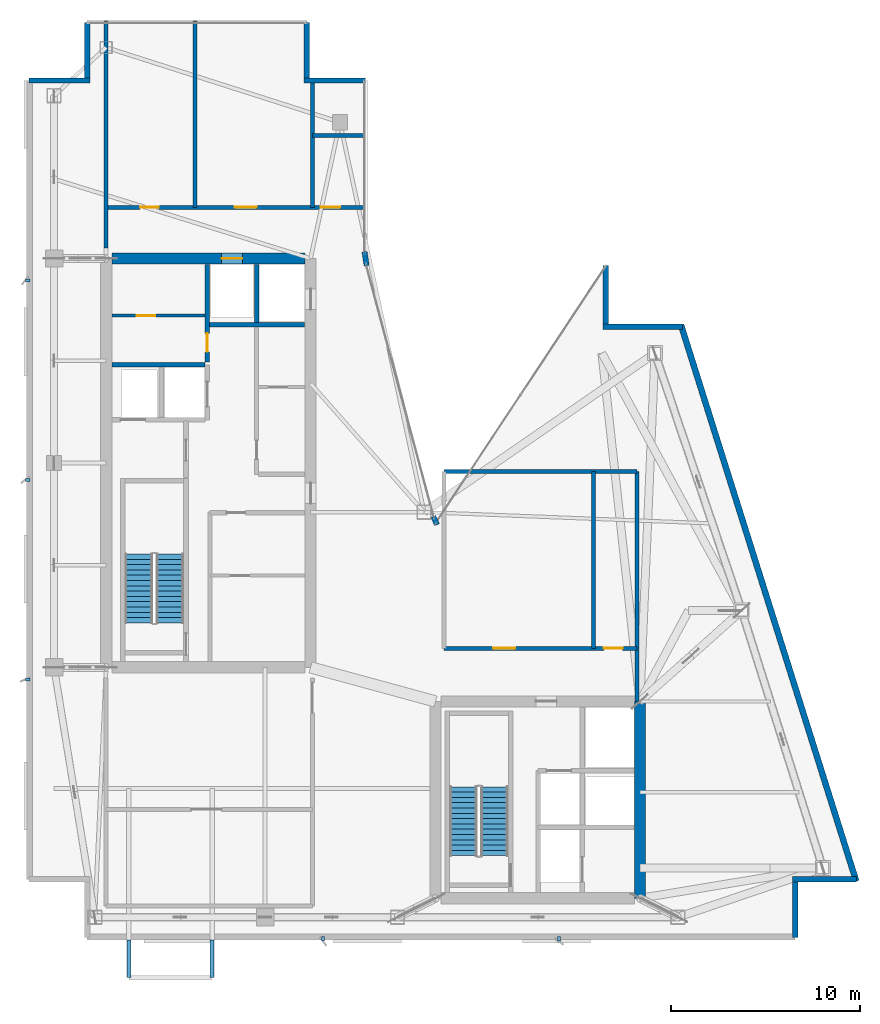
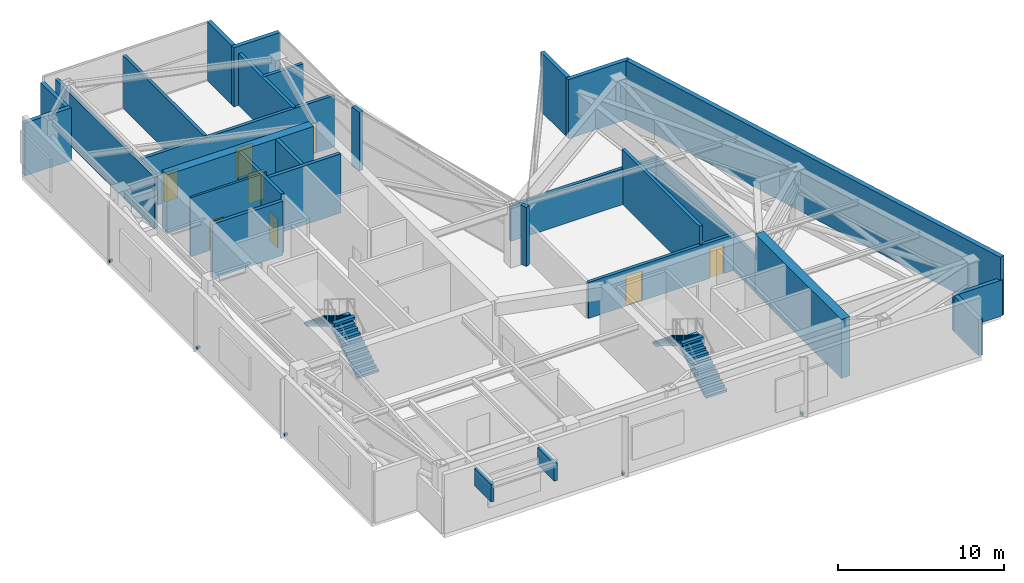
# One storey, part 13 of 15: 27 walls, 8 doors, 7 discrete accessories, 4 stair flights, 8 openings, 2 elements without a shape of their own.
"""IFC4 building model written with IfcOpenShell, lengths in metres."""

from ifc_helpers import new_model, si_unit, direction, frame, frame_2d, origin, origin_2d, place, context, subcontext, project, spatial, polyline, rectangle, outline, extrude, material, layer, layer_set, type_object, element, fill, aggregate, save


model = new_model("IFC4")

# Units and contexts
model_context = context("Model", 3, precision=1e-05, world=origin(), true_north=direction((0.0, 1.0)))
body_context = subcontext(model_context, "Body", "Model", "MODEL_VIEW")
ifc_project = project(units=[si_unit("LENGTHUNIT", "METRE"), si_unit("AREAUNIT", "SQUARE_METRE"), si_unit("VOLUMEUNIT", "CUBIC_METRE"), si_unit("PLANEANGLEUNIT", "RADIAN"), si_unit("MASSUNIT", "GRAM", prefix="KILO")], contexts=[model_context])

# Site, building, storey
site_placement = place(None, origin())
site = spatial("IfcSite", under=ifc_project, at=site_placement, CompositionType="ELEMENT")
building_placement = place(site_placement, origin())
building = spatial("IfcBuilding", under=site, at=building_placement, Name="Calvorn Quay Hotel", CompositionType="ELEMENT")
storey_placement = place(building_placement, frame((0.0, 0.0, 282.5)))
storey = spatial("IfcBuildingStorey", under=building, at=storey_placement, Name="L70", CompositionType="ELEMENT", Elevation=282.5)

# Wall, opening, door
ifc_material_1 = material(Name="Concrete C45", Category="concrete")
ifc_layer_1 = layer(ifc_material_1, 0.60009765625)
ifc_layer_set_1 = layer_set([ifc_layer_1], Name="WL-CORE-600")
wall_type_1 = type_object("IfcWallType", Name="WL-CORE-600", PredefinedType="SHEAR", material=ifc_layer_set_1)
wall_1_placement = place(storey_placement, frame((4.5, 38.39990234375, 0.0), z_axis=(0.0, 0.0, 1.0), x_axis=(1.0, 0.0, 0.0)))
wall_1 = element("IfcWall", 1, at=wall_1_placement, inside=storey, type_object=wall_type_1, Name="West Core Shear Wall N (L70)", PredefinedType="SHEAR", context=body_context, shape_type="SweptSolid", body=[
    extrude(rectangle(XDim=10.199951171875, YDim=0.60009765625, at=frame_2d((5.10009765625, 0.0))), origin(), (0.0, 0.0, 1.0), 4.35009765625),
])
opening_1_placement = place(wall_1_placement, frame((5.800048828125, 0.0, 0.0)))
opening_1 = element("IfcOpeningElement", 2, at=opening_1_placement, cuts=wall_1, Name="Opening LD-L70-H2", PredefinedType="OPENING", context=body_context, shape_type="SweptSolid", body=[
    extrude(rectangle(XDim=1.10009765625, YDim=2.199951171875, at=frame_2d((0.550048828125, 1.10009765625))), frame((0.0, 0.31005859375, 0.0), z_axis=(0.0, -1.0, 0.0), x_axis=(1.0, 0.0, 0.0)), (0.0, 0.0, 1.0), 0.6201171875),
])
ifc_material_2 = material(Name="Brushed Stainless Steel Sliding Lift Landing Door", Category="steel")
door_type_1 = type_object("IfcDoorType", Name="DR-LIFT-PASS-1100", OperationType="NOTDEFINED", PredefinedType="DOOR", material=ifc_material_2)
door_1_placement = place(opening_1_placement, origin())
door_1 = element("IfcDoor", 3, at=door_1_placement, inside=storey, type_object=door_type_1, Name="High-Rise Lift PL-H2 Landing Door (L70)", OperationType="DOUBLE_DOOR_SLIDING", OverallHeight=2.199951171875, OverallWidth=1.10009765625, PredefinedType="DOOR", context=body_context, shape_type="SweptSolid", body=[
    extrude(rectangle(XDim=1.10009765625, YDim=2.199951171875, at=frame_2d((0.550048828125, 1.10009765625))), frame((0.0, 0.02490234375, 0.0), z_axis=(0.0, -1.0, 0.0), x_axis=(1.0, 0.0, 0.0)), (0.0, 0.0, 1.0), 0.050048828125),
])
fill(opening_1, door_1)

# Walls
wall_2_placement = place(storey_placement, frame((32.39990234375, 4.60009765625, 0.0), z_axis=(0.0, 0.0, 1.0), x_axis=(0.0, 1.0, 0.0)))
element("IfcWall", 4, at=wall_2_placement, inside=storey, type_object=wall_type_1, Name="East Core Shear Wall E (L70)", PredefinedType="SHEAR", context=body_context, shape_type="SweptSolid", body=[
    extrude(rectangle(XDim=10.39990234375, YDim=0.60009765625, at=frame_2d((5.199951171875, 0.0))), origin(), (0.0, 0.0, 1.0), 4.35009765625),
])
ifc_material_3 = material(Name="Concrete C40", Category="concrete")
ifc_layer_2 = layer(ifc_material_3, 0.320068359375)
ifc_layer_set_2 = layer_set([ifc_layer_2], Name="WL-EXT-SPANDREL-320")
wall_type_2 = type_object("IfcWallType", Name="WL-EXT-SPANDREL-320", PredefinedType="SOLIDWALL", material=ifc_layer_set_2)
wall_3_placement = place(storey_placement, frame((21.679931640625, 24.340087890625, 0.0), z_axis=(0.0, 0.0, 1.0), x_axis=(-0.40758134973, 0.913168901875, 0.0)))
element("IfcWall", 5, at=wall_3_placement, inside=storey, type_object=wall_type_2, Name="Inner Court Corner Pier L70-ICJ1", PredefinedType="SOLIDWALL", context=body_context, shape_type="SweptSolid", body=[
    extrude(rectangle(XDim=0.470703125, YDim=0.280029296875, at=frame_2d((0.2353515625, 0.0))), origin(), (0.0, 0.0, 1.0), 4.35009765625),
])
wall_4_placement = place(storey_placement, frame((17.9619140625, 38.030029296875, 0.0), z_axis=(0.0, 0.0, 1.0), x_axis=(-0.15141125477, 0.988470855377, 0.0)))
element("IfcWall", 6, at=wall_4_placement, inside=storey, type_object=wall_type_2, Name="Inner Court Corner Pier L70-ICJ2", PredefinedType="SOLIDWALL", context=body_context, shape_type="SweptSolid", body=[
    extrude(rectangle(XDim=0.738525390625, YDim=0.280029296875, at=frame_2d((0.369140625, 0.0))), origin(), (0.0, 0.0, 1.0), 4.35009765625),
])
wall_5_placement = place(storey_placement, frame((40.60009765625, 2.52001953125, 0.0), z_axis=(0.0, 0.0, 1.0), x_axis=(0.0, 1.0, 0.0)))
element("IfcWall", 7, at=wall_5_placement, inside=storey, type_object=wall_type_2, Name="Notched Corner Spandrel L70-SE1", PredefinedType="SOLIDWALL", context=body_context, shape_type="SweptSolid", body=[
    extrude(rectangle(XDim=2.93994140625, YDim=0.280029296875, at=frame_2d((1.469970703125, 0.0))), origin(), (0.0, 0.0, 1.0), 2.64990234375),
])
wall_6_placement = place(storey_placement, frame((40.4599609375, 5.60009765625, 0.0), z_axis=(0.0, 0.0, 1.0), x_axis=(1.0, 0.0, 0.0)))
element("IfcWall", 8, at=wall_6_placement, inside=storey, type_object=wall_type_2, Name="Notched Corner Spandrel L70-SE2", PredefinedType="SOLIDWALL", context=body_context, shape_type="SweptSolid", body=[
    extrude(rectangle(XDim=3.380126953125, YDim=0.280029296875, at=frame_2d((1.68994140625, 0.0))), origin(), (0.0, 0.0, 1.0), 2.64990234375),
])
wall_7_placement = place(storey_placement, frame((34.639892578125, 34.800048828125, 0.0), z_axis=(0.0, 0.0, 1.0), x_axis=(-1.0, 0.0, 0.0)))
element("IfcWall", 9, at=wall_7_placement, inside=storey, type_object=wall_type_2, Name="Notched Corner Spandrel L70-NE1", PredefinedType="SOLIDWALL", context=body_context, shape_type="SweptSolid", body=[
    extrude(rectangle(XDim=4.179931640625, YDim=0.280029296875, at=frame_2d((2.08984375, 0.0))), origin(), (0.0, 0.0, 1.0), 4.35009765625),
])
wall_8_placement = place(storey_placement, frame((30.60009765625, 34.93994140625, 0.0), z_axis=(0.0, 0.0, 1.0), x_axis=(0.0, 1.0, 0.0)))
element("IfcWall", 10, at=wall_8_placement, inside=storey, type_object=wall_type_2, Name="Notched Corner Spandrel L70-NE2", PredefinedType="SOLIDWALL", context=body_context, shape_type="SweptSolid", body=[
    extrude(rectangle(XDim=3.10009765625, YDim=0.280029296875, at=frame_2d((1.550048828125, 0.0))), origin(), (0.0, 0.0, 1.0), 4.35009765625),
])
wall_9_placement = place(storey_placement, frame((17.89990234375, 47.800048828125, 0.0), z_axis=(0.0, 0.0, 1.0), x_axis=(-1.0, 0.0, 0.0)))
element("IfcWall", 11, at=wall_9_placement, inside=storey, type_object=wall_type_2, Name="Notched Corner Spandrel L70-NWE1", PredefinedType="SOLIDWALL", context=body_context, shape_type="SweptSolid", body=[
    extrude(rectangle(XDim=3.239990234375, YDim=0.280029296875, at=frame_2d((1.6201171875, 0.0))), origin(), (0.0, 0.0, 1.0), 4.35009765625),
])
wall_10_placement = place(storey_placement, frame((14.800048828125, 47.93994140625, 0.0), z_axis=(0.0, 0.0, 1.0), x_axis=(0.0, 1.0, 0.0)))
element("IfcWall", 12, at=wall_10_placement, inside=storey, type_object=wall_type_2, Name="Notched Corner Spandrel L70-NWE2", PredefinedType="SOLIDWALL", context=body_context, shape_type="SweptSolid", body=[
    extrude(rectangle(XDim=2.93994140625, YDim=0.280029296875, at=frame_2d((1.469970703125, 0.0))), origin(), (0.0, 0.0, 1.0), 4.35009765625),
])
wall_11_placement = place(storey_placement, frame((3.199951171875, 50.8798828125, 0.0), z_axis=(0.0, 0.0, 1.0), x_axis=(0.0, -1.0, 0.0)))
element("IfcWall", 13, at=wall_11_placement, inside=storey, type_object=wall_type_2, Name="Notched Corner Spandrel L70-NW1", PredefinedType="SOLIDWALL", context=body_context, shape_type="SweptSolid", body=[
    extrude(rectangle(XDim=2.93994140625, YDim=0.280029296875, at=frame_2d((1.469970703125, 0.0))), origin(), (0.0, 0.0, 1.0), 3.89990234375),
])
wall_12_placement = place(storey_placement, frame((3.340087890625, 47.800048828125, 0.0), z_axis=(0.0, 0.0, 1.0), x_axis=(-1.0, 0.0, 0.0)))
element("IfcWall", 14, at=wall_12_placement, inside=storey, type_object=wall_type_2, Name="Notched Corner Spandrel L70-NW2", PredefinedType="SOLIDWALL", context=body_context, shape_type="SweptSolid", body=[
    extrude(rectangle(XDim=3.219970703125, YDim=0.280029296875, at=frame_2d((1.60986328125, 0.0))), origin(), (0.0, 0.0, 1.0), 3.89990234375),
])
wall_13_placement = place(storey_placement, frame((43.830078125, 5.5048828125, 0.0), z_axis=(0.0, 0.0, 1.0), x_axis=(-0.300509063924, 0.953778958931, 0.0)))
element("IfcWall", 15, at=wall_13_placement, inside=storey, type_object=wall_type_2, Name="East Stepped Waterfront Exterior Wall (L70)", PredefinedType="SOLIDWALL", context=body_context, shape_type="SweptSolid", body=[
    extrude(rectangle(XDim=30.814453125, YDim=0.320068359375, at=frame_2d((15.4072265625, 0.0))), origin(), (0.0, 0.0, 1.0), 4.35009765625),
])

# Wall, opening, door
ifc_material_4 = material(Name="Double-Stud Acoustic Gypsum Partition")
ifc_layer_3 = layer(ifc_material_4, 0.159912109375)
ifc_layer_set_3 = layer_set([ifc_layer_3], Name="WL-INTERSUITE-160")
wall_type_3 = type_object("IfcWallType", Name="WL-INTERSUITE-160", PredefinedType="PARTITIONING", material=ifc_layer_set_3)
wall_14_placement = place(storey_placement, frame((4.52001953125, 35.3798828125, 0.0), z_axis=(0.0, 0.0, 1.0), x_axis=(1.0, 0.0, 0.0)))
wall_14 = element("IfcWall", 16, at=wall_14_placement, inside=storey, type_object=wall_type_3, Name="Partition Wall L70-WL-CWW-K-MID", PredefinedType="PARTITIONING", context=body_context, shape_type="SweptSolid", body=[
    extrude(rectangle(XDim=4.89990234375, YDim=0.159912109375, at=frame_2d((2.449951171875, 0.0))), origin(), (0.0, 0.0, 1.0), 4.35009765625),
])
opening_2_placement = place(wall_14_placement, frame((1.300048828125, 0.0, 0.0)))
opening_2 = element("IfcOpeningElement", 17, at=opening_2_placement, cuts=wall_14, Name="Opening D-L70-CK2", PredefinedType="OPENING", context=body_context, shape_type="SweptSolid", body=[
    extrude(rectangle(XDim=0.97998046875, YDim=2.14990234375, at=frame_2d((0.489990234375, 1.074951171875))), frame((0.0, 0.08984375, 0.0), z_axis=(0.0, -1.0, 0.0), x_axis=(1.0, 0.0, 0.0)), (0.0, 0.0, 1.0), 0.179931640625),
])
ifc_material_5 = material(Name="Painted Steel Housekeeping/Riser Fire Door", Category="steel")
door_type_2 = type_object("IfcDoorType", Name="DR-SERVICE-980", OperationType="NOTDEFINED", PredefinedType="DOOR", material=ifc_material_5)
door_2_placement = place(opening_2_placement, origin())
door_2 = element("IfcDoor", 18, at=door_2_placement, inside=storey, type_object=door_type_2, Name="Electrical Riser Door (L70)", OperationType="SINGLE_SWING_RIGHT", OverallHeight=2.14990234375, OverallWidth=0.97998046875, PredefinedType="DOOR", context=body_context, shape_type="SweptSolid", body=[
    extrude(rectangle(XDim=0.97998046875, YDim=2.14990234375, at=frame_2d((0.489990234375, 1.074951171875))), frame((0.0, 0.02490234375, 0.0), z_axis=(0.0, -1.0, 0.0), x_axis=(1.0, 0.0, 0.0)), (0.0, 0.0, 1.0), 0.050048828125),
])
fill(opening_2, door_2)

ifc_material_6 = material(Name="Autoclaved Aerated Masonry Block", Category="masonry")
ifc_layer_4 = layer(ifc_material_6, 0.219970703125)
ifc_layer_set_4 = layer_set([ifc_layer_4], Name="WL-LOBBY-FIRE-220")
wall_type_4 = type_object("IfcWallType", Name="WL-LOBBY-FIRE-220", PredefinedType="SOLIDWALL", material=ifc_layer_set_4)
wall_15_placement = place(storey_placement, frame((9.5400390625, 32.919921875, 0.0), z_axis=(0.0, 0.0, 1.0), x_axis=(0.0, 1.0, 0.0)))
wall_15 = element("IfcWall", 19, at=wall_15_placement, inside=storey, type_object=wall_type_4, Name="Partition Wall L70-WL-CWW-K-E", PredefinedType="SOLIDWALL", context=body_context, shape_type="SweptSolid", body=[
    extrude(rectangle(XDim=5.16015625, YDim=0.219970703125, at=frame_2d((2.580078125, 0.0))), origin(), (0.0, 0.0, 1.0), 4.35009765625),
])
opening_3_placement = place(wall_15_placement, frame((0.550048828125, 0.0, 0.0)))
opening_3 = element("IfcOpeningElement", 20, at=opening_3_placement, cuts=wall_15, Name="Opening D-L70-CK1", PredefinedType="OPENING", context=body_context, shape_type="SweptSolid", body=[
    extrude(rectangle(XDim=0.97998046875, YDim=2.14990234375, at=frame_2d((0.489990234375, 1.074951171875))), frame((0.0, 0.119873046875, 0.0), z_axis=(0.0, -1.0, 0.0), x_axis=(1.0, 0.0, 0.0)), (0.0, 0.0, 1.0), 0.239990234375),
])
door_3_placement = place(opening_3_placement, origin())
door_3 = element("IfcDoor", 21, at=door_3_placement, inside=storey, type_object=door_type_2, Name="Core Housekeeping Door (L70)", OperationType="SINGLE_SWING_LEFT", OverallHeight=2.14990234375, OverallWidth=0.97998046875, PredefinedType="DOOR", context=body_context, shape_type="SweptSolid", body=[
    extrude(rectangle(XDim=0.97998046875, YDim=2.14990234375, at=frame_2d((0.489990234375, 1.074951171875))), frame((0.0, 0.02490234375, 0.0), z_axis=(0.0, -1.0, 0.0), x_axis=(1.0, 0.0, 0.0)), (0.0, 0.0, 1.0), 0.050048828125),
])
fill(opening_3, door_3)

# Walls
wall_16_placement = place(storey_placement, frame((4.199951171875, 38.949951171875, 0.0), z_axis=(0.0, 0.0, 1.0), x_axis=(0.0, 1.0, 0.0)))
element("IfcWall", 22, at=wall_16_placement, inside=storey, type_object=wall_type_4, Name="Partition Wall L70-WL-RF-BELT-NW", PredefinedType="SOLIDWALL", context=body_context, shape_type="SweptSolid", body=[
    extrude(rectangle(XDim=11.989990234375, YDim=0.219970703125, at=frame_2d((5.9951171875, 0.0))), origin(), (0.0, 0.0, 1.0), 3.800048828125),
])
wall_17_placement = place(storey_placement, frame((8.89990234375, 41.10009765625, 0.0), z_axis=(0.0, 0.0, 1.0), x_axis=(0.0, 1.0, 0.0)))
element("IfcWall", 23, at=wall_17_placement, inside=storey, type_object=wall_type_4, Name="Partition Wall L70-WL-RF-EL-E", PredefinedType="SOLIDWALL", context=body_context, shape_type="SweptSolid", body=[
    extrude(rectangle(XDim=9.83984375, YDim=0.219970703125, at=frame_2d((4.919921875, 0.0))), origin(), (0.0, 0.0, 1.0), 3.89990234375),
])

# Wall, openings, doors
wall_18_placement = place(storey_placement, frame((4.199951171875, 41.10009765625, 0.0), z_axis=(0.0, 0.0, 1.0), x_axis=(1.0, 0.0, 0.0)))
wall_18 = element("IfcWall", 24, at=wall_18_placement, inside=storey, type_object=wall_type_4, Name="Partition Wall L70-WL-RF-N-S", PredefinedType="SOLIDWALL", context=body_context, shape_type="SweptSolid", body=[
    extrude(rectangle(XDim=13.650146484375, YDim=0.219970703125, at=frame_2d((6.8251953125, 0.0))), origin(), (0.0, 0.0, 1.0), 3.800048828125),
])
opening_4_placement = place(wall_18_placement, frame((1.800048828125, 0.0, 0.0)))
opening_4 = element("IfcOpeningElement", 25, at=opening_4_placement, cuts=wall_18, Name="Opening D-L70-P3", PredefinedType="OPENING", context=body_context, shape_type="SweptSolid", body=[
    extrude(rectangle(XDim=0.97998046875, YDim=2.14990234375, at=frame_2d((0.489990234375, 1.074951171875))), frame((0.0, 0.119873046875, 0.0), z_axis=(0.0, -1.0, 0.0), x_axis=(1.0, 0.0, 0.0)), (0.0, 0.0, 1.0), 0.239990234375),
])
opening_5_placement = place(wall_18_placement, frame((6.800048828125, 0.0, 0.0)))
opening_5 = element("IfcOpeningElement", 26, at=opening_5_placement, cuts=wall_18, Name="Opening D-L70-RF1", PredefinedType="OPENING", context=body_context, shape_type="SweptSolid", body=[
    extrude(rectangle(XDim=1.14990234375, YDim=2.199951171875, at=frame_2d((0.574951171875, 1.10009765625))), frame((0.0, 0.119873046875, 0.0), z_axis=(0.0, -1.0, 0.0), x_axis=(1.0, 0.0, 0.0)), (0.0, 0.0, 1.0), 0.239990234375),
])
opening_6_placement = place(wall_18_placement, frame((11.35009765625, 0.0, 0.0)))
opening_6 = element("IfcOpeningElement", 27, at=opening_6_placement, cuts=wall_18, Name="Opening D-L70-RFW", PredefinedType="OPENING", context=body_context, shape_type="SweptSolid", body=[
    extrude(rectangle(XDim=1.02001953125, YDim=2.199951171875, at=frame_2d((0.510009765625, 1.10009765625))), frame((0.0, 0.119873046875, 0.0), z_axis=(0.0, -1.0, 0.0), x_axis=(1.0, 0.0, 0.0)), (0.0, 0.0, 1.0), 0.239990234375),
])
ifc_material_7 = material(Name="Solid-Core Walnut Veneer Hotel Fire Door")
door_type_3 = type_object("IfcDoorType", Name="DR-GUEST-ENTRY-1020", OperationType="NOTDEFINED", PredefinedType="DOOR", material=ifc_material_7)
door_4_placement = place(opening_6_placement, origin())
door_4 = element("IfcDoor", 28, at=door_4_placement, inside=storey, type_object=door_type_3, Name="Refuge Accessible WC Door", OperationType="SINGLE_SWING_RIGHT", OverallHeight=2.199951171875, OverallWidth=1.02001953125, PredefinedType="DOOR", context=body_context, shape_type="SweptSolid", body=[
    extrude(rectangle(XDim=1.02001953125, YDim=2.199951171875, at=frame_2d((0.510009765625, 1.10009765625))), frame((0.0, 0.02490234375, 0.0), z_axis=(0.0, -1.0, 0.0), x_axis=(1.0, 0.0, 0.0)), (0.0, 0.0, 1.0), 0.050048828125),
])
fill(opening_6, door_4)
door_5_placement = place(opening_4_placement, origin())
door_5 = element("IfcDoor", 29, at=door_5_placement, inside=storey, type_object=door_type_2, Name="Electrical Substation Door", OperationType="SINGLE_SWING_LEFT", OverallHeight=2.14990234375, OverallWidth=0.97998046875, PredefinedType="DOOR", context=body_context, shape_type="SweptSolid", body=[
    extrude(rectangle(XDim=0.97998046875, YDim=2.14990234375, at=frame_2d((0.489990234375, 1.074951171875))), frame((0.0, 0.02490234375, 0.0), z_axis=(0.0, -1.0, 0.0), x_axis=(1.0, 0.0, 0.0)), (0.0, 0.0, 1.0), 0.050048828125),
])
fill(opening_4, door_5)
ifc_material_8 = material(Name="Galvanised Steel Class A Fire Door", Category="steel")
door_type_4 = type_object("IfcDoorType", Name="DR-STAIR-SMOKE-1150", OperationType="NOTDEFINED", PredefinedType="DOOR", material=ifc_material_8)
door_6_placement = place(opening_5_placement, origin())
door_6 = element("IfcDoor", 30, at=door_6_placement, inside=storey, type_object=door_type_4, Name="North Refuge Area Fire Door", OperationType="SINGLE_SWING_LEFT", OverallHeight=2.199951171875, OverallWidth=1.14990234375, PredefinedType="DOOR", context=body_context, shape_type="SweptSolid", body=[
    extrude(rectangle(XDim=1.14990234375, YDim=2.199951171875, at=frame_2d((0.574951171875, 1.10009765625))), frame((0.0, 0.02490234375, 0.0), z_axis=(0.0, -1.0, 0.0), x_axis=(1.0, 0.0, 0.0)), (0.0, 0.0, 1.0), 0.050048828125),
])
fill(opening_5, door_6)

# Walls
wall_19_placement = place(storey_placement, frame((15.10009765625, 41.10009765625, 0.0), z_axis=(0.0, 0.0, 1.0), x_axis=(0.0, 1.0, 0.0)))
element("IfcWall", 31, at=wall_19_placement, inside=storey, type_object=wall_type_4, Name="Partition Wall L70-WL-RF-WC-W", PredefinedType="SOLIDWALL", context=body_context, shape_type="SweptSolid", body=[
    extrude(rectangle(XDim=6.699951171875, YDim=0.219970703125, at=frame_2d((3.35009765625, 0.0))), origin(), (0.0, 0.0, 1.0), 3.800048828125),
])
wall_20_placement = place(storey_placement, frame((15.10009765625, 44.89990234375, 0.0), z_axis=(0.0, 0.0, 1.0), x_axis=(1.0, 0.0, 0.0)))
element("IfcWall", 32, at=wall_20_placement, inside=storey, type_object=wall_type_4, Name="Partition Wall L70-WL-RF-WC-N", PredefinedType="SOLIDWALL", context=body_context, shape_type="SweptSolid", body=[
    extrude(rectangle(XDim=2.75, YDim=0.219970703125, at=frame_2d((1.375, 0.0))), origin(), (0.0, 0.0, 1.0), 3.800048828125),
])

# Wall, openings, doors
wall_21_placement = place(storey_placement, frame((22.050048828125, 17.800048828125, 0.0), z_axis=(0.0, 0.0, 1.0), x_axis=(1.0, 0.0, 0.0)))
wall_21 = element("IfcWall", 33, at=wall_21_placement, inside=storey, type_object=wall_type_4, Name="Partition Wall L70-WL-RF-C-S", PredefinedType="SOLIDWALL", context=body_context, shape_type="SweptSolid", body=[
    extrude(rectangle(XDim=10.199951171875, YDim=0.219970703125, at=frame_2d((5.10009765625, 0.0))), origin(), (0.0, 0.0, 1.0), 2.64990234375),
])
opening_7_placement = place(wall_21_placement, frame((2.60009765625, 0.0, 0.0)))
opening_7 = element("IfcOpeningElement", 34, at=opening_7_placement, cuts=wall_21, Name="Opening D-L70-RF2", PredefinedType="OPENING", context=body_context, shape_type="SweptSolid", body=[
    extrude(rectangle(XDim=1.14990234375, YDim=2.199951171875, at=frame_2d((0.574951171875, 1.10009765625))), frame((0.0, 0.119873046875, 0.0), z_axis=(0.0, -1.0, 0.0), x_axis=(1.0, 0.0, 0.0)), (0.0, 0.0, 1.0), 0.239990234375),
])
opening_8_placement = place(wall_21_placement, frame((8.449951171875, 0.0, 0.0)))
opening_8 = element("IfcOpeningElement", 35, at=opening_8_placement, cuts=wall_21, Name="Opening D-L70-P4", PredefinedType="OPENING", context=body_context, shape_type="SweptSolid", body=[
    extrude(rectangle(XDim=0.97998046875, YDim=2.14990234375, at=frame_2d((0.489990234375, 1.074951171875))), frame((0.0, 0.119873046875, 0.0), z_axis=(0.0, -1.0, 0.0), x_axis=(1.0, 0.0, 0.0)), (0.0, 0.0, 1.0), 0.239990234375),
])
door_7_placement = place(opening_8_placement, origin())
door_7 = element("IfcDoor", 36, at=door_7_placement, inside=storey, type_object=door_type_2, Name="Pressurization Fan Plant Door", OperationType="SINGLE_SWING_RIGHT", OverallHeight=2.14990234375, OverallWidth=0.97998046875, PredefinedType="DOOR", context=body_context, shape_type="SweptSolid", body=[
    extrude(rectangle(XDim=0.97998046875, YDim=2.14990234375, at=frame_2d((0.489990234375, 1.074951171875))), frame((0.0, 0.02490234375, 0.0), z_axis=(0.0, -1.0, 0.0), x_axis=(1.0, 0.0, 0.0)), (0.0, 0.0, 1.0), 0.050048828125),
])
fill(opening_8, door_7)
door_8_placement = place(opening_7_placement, origin())
door_8 = element("IfcDoor", 37, at=door_8_placement, inside=storey, type_object=door_type_4, Name="Harbour Refuge Area Fire Door", OperationType="SINGLE_SWING_LEFT", OverallHeight=2.199951171875, OverallWidth=1.14990234375, PredefinedType="DOOR", context=body_context, shape_type="SweptSolid", body=[
    extrude(rectangle(XDim=1.14990234375, YDim=2.199951171875, at=frame_2d((0.574951171875, 1.10009765625))), frame((0.0, 0.02490234375, 0.0), z_axis=(0.0, -1.0, 0.0), x_axis=(1.0, 0.0, 0.0)), (0.0, 0.0, 1.0), 0.050048828125),
])
fill(opening_7, door_8)

# Walls
wall_22_placement = place(storey_placement, frame((29.949951171875, 17.800048828125, 0.0), z_axis=(0.0, 0.0, 1.0), x_axis=(0.0, 1.0, 0.0)))
element("IfcWall", 38, at=wall_22_placement, inside=storey, type_object=wall_type_4, Name="Partition Wall L70-WL-RF-C-DIV", PredefinedType="SOLIDWALL", context=body_context, shape_type="SweptSolid", body=[
    extrude(rectangle(XDim=9.349853515625, YDim=0.219970703125, at=frame_2d((4.6748046875, 0.0))), origin(), (0.0, 0.0, 1.0), 4.0),
])
wall_23_placement = place(storey_placement, frame((32.25, 15.0, 0.0), z_axis=(0.0, 0.0, 1.0), x_axis=(0.0, 1.0, 0.0)))
element("IfcWall", 39, at=wall_23_placement, inside=storey, type_object=wall_type_4, Name="Partition Wall L70-WL-RF-C-E", PredefinedType="SOLIDWALL", context=body_context, shape_type="SweptSolid", body=[
    extrude(rectangle(XDim=12.14990234375, YDim=0.219970703125, at=frame_2d((6.074951171875, 0.0))), origin(), (0.0, 0.0, 1.0), 2.64990234375),
])
wall_24_placement = place(storey_placement, frame((22.050048828125, 27.14990234375, 0.0), z_axis=(0.0, 0.0, 1.0), x_axis=(1.0, 0.0, 0.0)))
element("IfcWall", 40, at=wall_24_placement, inside=storey, type_object=wall_type_4, Name="Partition Wall L70-WL-RF-C-N", PredefinedType="SOLIDWALL", context=body_context, shape_type="SweptSolid", body=[
    extrude(rectangle(XDim=10.199951171875, YDim=0.219970703125, at=frame_2d((5.10009765625, 0.0))), origin(), (0.0, 0.0, 1.0), 2.64990234375),
])
ifc_material_9 = material(Name="Concrete C40", Category="concrete")
ifc_layer_5 = layer(ifc_material_9, 0.239990234375)
ifc_layer_set_5 = layer_set([ifc_layer_5], Name="WL-SHAFT-240")
wall_type_5 = type_object("IfcWallType", Name="WL-SHAFT-240", PredefinedType="SOLIDWALL", material=ifc_layer_set_5)
wall_25_placement = place(storey_placement, frame((4.52001953125, 32.780029296875, 0.0), z_axis=(0.0, 0.0, 1.0), x_axis=(1.0, 0.0, 0.0)))
element("IfcWall", 41, at=wall_25_placement, inside=storey, type_object=wall_type_5, Name="Partition Wall L70-WL-CWW-SLW-N", PredefinedType="SOLIDWALL", context=body_context, shape_type="SweptSolid", body=[
    extrude(rectangle(XDim=4.89990234375, YDim=0.239990234375, at=frame_2d((2.449951171875, 0.0))), origin(), (0.0, 0.0, 1.0), 4.0),
])
wall_26_placement = place(storey_placement, frame((9.659912109375, 34.89990234375, 0.0), z_axis=(0.0, 0.0, 1.0), x_axis=(1.0, 0.0, 0.0)))
element("IfcWall", 42, at=wall_26_placement, inside=storey, type_object=wall_type_5, Name="Partition Wall L70-WL-CWW-PLH-S", PredefinedType="SOLIDWALL", context=body_context, shape_type="SweptSolid", body=[
    extrude(rectangle(XDim=5.02001953125, YDim=0.239990234375, at=frame_2d((2.510009765625, 0.0))), origin(), (0.0, 0.0, 1.0), 4.35009765625),
])
wall_27_placement = place(storey_placement, frame((12.14990234375, 35.02001953125, 0.0), z_axis=(0.0, 0.0, 1.0), x_axis=(0.0, 1.0, 0.0)))
element("IfcWall", 43, at=wall_27_placement, inside=storey, type_object=wall_type_5, Name="Partition Wall L70-WL-CWW-PLH-DIV", PredefinedType="SOLIDWALL", context=body_context, shape_type="SweptSolid", body=[
    extrude(rectangle(XDim=3.06005859375, YDim=0.239990234375, at=frame_2d((1.530029296875, 0.0))), origin(), (0.0, 0.0, 1.0), 4.35009765625),
])

# Stair, stair flights
ifc_material_10 = material(Name="Concrete C40", Category="concrete")
stair_type = type_object("IfcStairType", Name="STR-CORE-DOGLEG", PredefinedType="HALF_TURN_STAIR", material=ifc_material_10)
stair_1_placement = place(storey_placement, origin())
stair_1 = element("IfcStair", 44, at=stair_1_placement, inside=storey, type_object=stair_type, Name="L70 ST-W", PredefinedType="HALF_TURN_STAIR")
ifc_material_11 = material(Name="Concrete C40", Category="concrete")
stair_flight_type = type_object("IfcStairFlightType", Name="FLT-CORE-1550", PredefinedType="STRAIGHT", material=ifc_material_11)
stair_flight_1_placement = place(storey_placement, frame((7.574951171875, 19.14990234375, 0.0), z_axis=(0.0, 0.0, 1.0), x_axis=(0.0, 1.0, 0.0)))
stair_flight_1 = element("IfcStairFlight", 45, at=stair_flight_1_placement, type_object=stair_flight_type, Name="ST-W flight 1", NumberOfRisers=14, NumberOfTreads=13, PredefinedType="STRAIGHT", RiserHeight=0.171428571, TreadLength=0.28, context=body_context, shape_type="SweptSolid", body=[
    extrude(outline(polyline([(0.0, 0.0), (0.0, 0.17138671875), (0.280029296875, 0.17138671875), (0.280029296875, 0.3427734375), (0.56005859375, 0.3427734375), (0.56005859375, 0.514404296875), (0.840087890625, 0.514404296875), (0.840087890625, 0.685791015625), (1.1201171875, 0.685791015625), (1.1201171875, 0.857177734375), (1.39990234375, 0.857177734375), (1.39990234375, 1.028564453125), (1.679931640625, 1.028564453125), (1.679931640625, 1.199951171875), (1.9599609375, 1.199951171875), (1.9599609375, 1.371337890625), (2.239990234375, 1.371337890625), (2.239990234375, 1.54296875), (2.52001953125, 1.54296875), (2.52001953125, 1.71435546875), (2.800048828125, 1.71435546875), (2.800048828125, 1.8857421875), (3.080078125, 1.8857421875), (3.080078125, 2.05712890625), (3.360107421875, 2.05712890625), (3.360107421875, 2.228515625), (3.639892578125, 2.228515625), (3.639892578125, 2.39990234375), (3.639892578125, 2.052734375), (0.287109375, 0.0), (0.0, 0.0)])), frame((0.0, 0.72509765625, 0.0), z_axis=(0.0, -1.0, 0.0), x_axis=(1.0, 0.0, 0.0)), (0.0, 0.0, 1.0), 1.449951171875),
])
stair_flight_2_placement = place(storey_placement, frame((5.925048828125, 22.7900390625, 2.39990234375), z_axis=(0.0, 0.0, 1.0), x_axis=(0.0, -1.0, 0.0)))
stair_flight_2 = element("IfcStairFlight", 46, at=stair_flight_2_placement, type_object=stair_flight_type, Name="ST-W flight 2", NumberOfRisers=14, NumberOfTreads=13, PredefinedType="STRAIGHT", RiserHeight=0.171428571, TreadLength=0.28, context=body_context, shape_type="SweptSolid", body=[
    extrude(outline(polyline([(0.0, 0.0), (0.0, 0.17138671875), (0.280029296875, 0.17138671875), (0.280029296875, 0.3427734375), (0.56005859375, 0.3427734375), (0.56005859375, 0.514404296875), (0.840087890625, 0.514404296875), (0.840087890625, 0.685791015625), (1.1201171875, 0.685791015625), (1.1201171875, 0.857177734375), (1.39990234375, 0.857177734375), (1.39990234375, 1.028564453125), (1.679931640625, 1.028564453125), (1.679931640625, 1.199951171875), (1.9599609375, 1.199951171875), (1.9599609375, 1.371337890625), (2.239990234375, 1.371337890625), (2.239990234375, 1.54296875), (2.52001953125, 1.54296875), (2.52001953125, 1.71435546875), (2.800048828125, 1.71435546875), (2.800048828125, 1.8857421875), (3.080078125, 1.8857421875), (3.080078125, 2.05712890625), (3.360107421875, 2.05712890625), (3.360107421875, 2.228515625), (3.639892578125, 2.228515625), (3.639892578125, 2.39990234375), (3.639892578125, 2.052734375), (0.287109375, 0.0), (0.0, 0.0)])), frame((0.0, 0.72509765625, 0.0), z_axis=(0.0, -1.0, 0.0), x_axis=(1.0, 0.0, 0.0)), (0.0, 0.0, 1.0), 1.449951171875),
])
aggregate(stair_1, [stair_flight_1, stair_flight_2])

stair_2_placement = place(storey_placement, origin())
stair_2 = element("IfcStair", 47, at=stair_2_placement, inside=storey, type_object=stair_type, Name="L70 ST-E", PredefinedType="HALF_TURN_STAIR")
stair_flight_3_placement = place(storey_placement, frame((24.72509765625, 6.85009765625, 0.0), z_axis=(0.0, 0.0, 1.0), x_axis=(0.0, 1.0, 0.0)))
stair_flight_3 = element("IfcStairFlight", 48, at=stair_flight_3_placement, type_object=stair_flight_type, Name="ST-E flight 1", NumberOfRisers=14, NumberOfTreads=13, PredefinedType="STRAIGHT", RiserHeight=0.171428571, TreadLength=0.28, context=body_context, shape_type="SweptSolid", body=[
    extrude(outline(polyline([(0.0, 0.0), (0.0, 0.17138671875), (0.280029296875, 0.17138671875), (0.280029296875, 0.3427734375), (0.56005859375, 0.3427734375), (0.56005859375, 0.514404296875), (0.840087890625, 0.514404296875), (0.840087890625, 0.685791015625), (1.1201171875, 0.685791015625), (1.1201171875, 0.857177734375), (1.39990234375, 0.857177734375), (1.39990234375, 1.028564453125), (1.679931640625, 1.028564453125), (1.679931640625, 1.199951171875), (1.9599609375, 1.199951171875), (1.9599609375, 1.371337890625), (2.239990234375, 1.371337890625), (2.239990234375, 1.54296875), (2.52001953125, 1.54296875), (2.52001953125, 1.71435546875), (2.800048828125, 1.71435546875), (2.800048828125, 1.8857421875), (3.080078125, 1.8857421875), (3.080078125, 2.05712890625), (3.360107421875, 2.05712890625), (3.360107421875, 2.228515625), (3.639892578125, 2.228515625), (3.639892578125, 2.39990234375), (3.639892578125, 2.052734375), (0.287109375, 0.0), (0.0, 0.0)])), frame((0.0, 0.72509765625, 0.0), z_axis=(0.0, -1.0, 0.0), x_axis=(1.0, 0.0, 0.0)), (0.0, 0.0, 1.0), 1.449951171875),
])
stair_flight_4_placement = place(storey_placement, frame((23.074951171875, 10.489990234375, 2.39990234375), z_axis=(0.0, 0.0, 1.0), x_axis=(0.0, -1.0, 0.0)))
stair_flight_4 = element("IfcStairFlight", 49, at=stair_flight_4_placement, type_object=stair_flight_type, Name="ST-E flight 2", NumberOfRisers=14, NumberOfTreads=13, PredefinedType="STRAIGHT", RiserHeight=0.171428571, TreadLength=0.28, context=body_context, shape_type="SweptSolid", body=[
    extrude(outline(polyline([(0.0, 0.0), (0.0, 0.17138671875), (0.280029296875, 0.17138671875), (0.280029296875, 0.3427734375), (0.56005859375, 0.3427734375), (0.56005859375, 0.514404296875), (0.840087890625, 0.514404296875), (0.840087890625, 0.685791015625), (1.1201171875, 0.685791015625), (1.1201171875, 0.857177734375), (1.39990234375, 0.857177734375), (1.39990234375, 1.028564453125), (1.679931640625, 1.028564453125), (1.679931640625, 1.199951171875), (1.9599609375, 1.199951171875), (1.9599609375, 1.371337890625), (2.239990234375, 1.371337890625), (2.239990234375, 1.54296875), (2.52001953125, 1.54296875), (2.52001953125, 1.71435546875), (2.800048828125, 1.71435546875), (2.800048828125, 1.8857421875), (3.080078125, 1.8857421875), (3.080078125, 2.05712890625), (3.360107421875, 2.05712890625), (3.360107421875, 2.228515625), (3.639892578125, 2.228515625), (3.639892578125, 2.39990234375), (3.639892578125, 2.052734375), (0.287109375, 0.0), (0.0, 0.0)])), frame((0.0, 0.72509765625, 0.0), z_axis=(0.0, -1.0, 0.0), x_axis=(1.0, 0.0, 0.0)), (0.0, 0.0, 1.0), 1.449951171875),
])
aggregate(stair_2, [stair_flight_3, stair_flight_4])

# Discrete accessories
ifc_material_12 = material(Name="Steel Q355B", Category="steel")
discrete_accessory_type_1 = type_object("IfcDiscreteAccessoryType", Name="ACC-BALC-STRUT", PredefinedType="BRACKET", material=ifc_material_12)
for number, where, z_axis, x_axis, name in (
    (50, (5.39990234375, 1.405029296875, 2.8251953125), (0.0, 0.0, 1.0), (1.0, 0.0, 0.0), "Exterior Balcony Steel Bracket L71-BALC-S-A"),
    (51, (9.800048828125, 1.405029296875, 2.8251953125), (0.0, 0.0, 1.0), (1.0, 0.0, 0.0), "Exterior Balcony Steel Bracket L71-BALC-S-B"),
):
    element("IfcDiscreteAccessory", number, at=place(storey_placement, frame(where, z_axis=z_axis, x_axis=x_axis)), inside=storey, type_object=discrete_accessory_type_1, Name=name, PredefinedType="BRACKET", context=body_context, shape_type="SweptSolid", body=[
        extrude(rectangle(XDim=0.219970703125, YDim=1.989990234375, at=origin_2d()), origin(), (0.0, 0.0, 1.0), 1.300048828125),
    ])
ifc_material_13 = material(Name="Steel Q355B", Category="steel")
discrete_accessory_type_2 = type_object("IfcDiscreteAccessoryType", Name="ACC-FIN-BRACKET", PredefinedType="BRACKET", material=ifc_material_13)
for number, where, z_axis, x_axis, name in (
    (52, (0.06005859375, 16.14990234375, 0.0302734375), (0.0, 0.0, 1.0), (1.0, 0.0, 0.0), "Fin Anchor Bracket L70-W01"),
    (53, (0.06005859375, 26.699951171875, 0.0302734375), (0.0, 0.0, 1.0), (1.0, 0.0, 0.0), "Fin Anchor Bracket L70-W02"),
    (54, (0.06005859375, 37.25, 0.0302734375), (0.0, 0.0, 1.0), (1.0, 0.0, 0.0), "Fin Anchor Bracket L70-W03"),
    (55, (15.6669921875, 2.4599609375, 0.0302734375), (0.0, 0.0, 1.0), (0.0, 1.0, 0.0), "Fin Anchor Bracket L70-S01"),
    (56, (28.133056640625, 2.4599609375, 0.0302734375), (0.0, 0.0, 1.0), (0.0, 1.0, 0.0), "Fin Anchor Bracket L70-S02"),
):
    element("IfcDiscreteAccessory", number, at=place(storey_placement, frame(where, z_axis=z_axis, x_axis=x_axis)), inside=storey, type_object=discrete_accessory_type_2, Name=name, PredefinedType="BRACKET", context=body_context, shape_type="SweptSolid", body=[
        extrude(rectangle(XDim=0.239990234375, YDim=0.159912109375, at=origin_2d()), origin(), (0.0, 0.0, 1.0), 0.179931640625),
    ])

save(model, "model.ifc")
